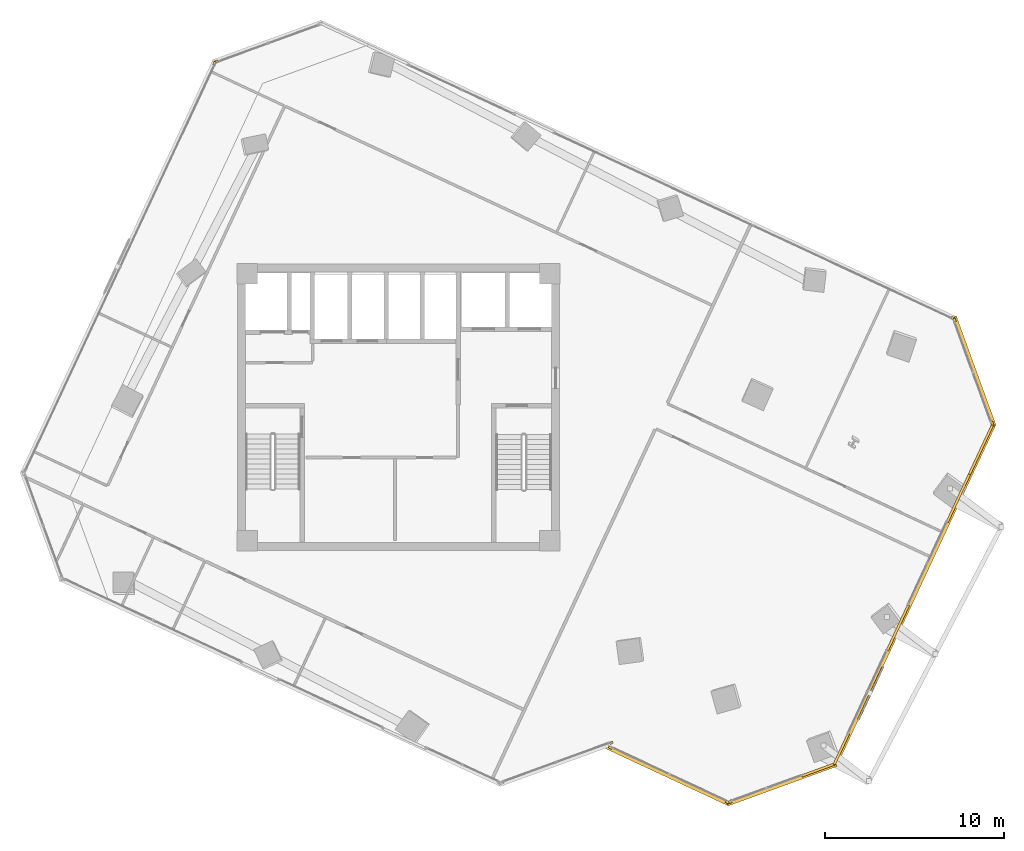
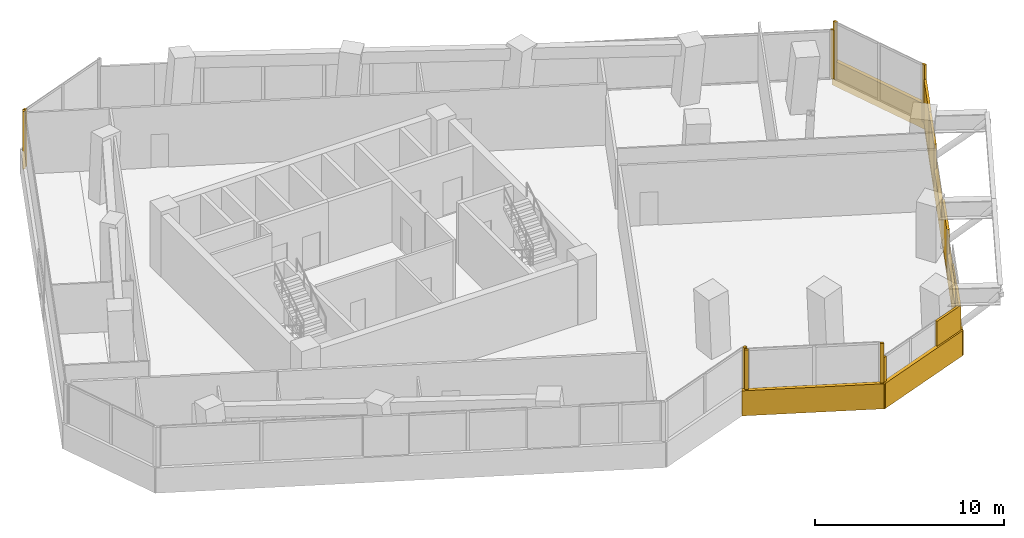
# One storey, part 20 of 21: 18 coverings, 1 shading device.
"""IFC4 building model written with IfcOpenShell, lengths in metres."""

import ifcopenshell
import ifcopenshell.guid

model = None  # the IFC model being written
_history = None  # IfcOwnerHistory: only IFC2X3 demands one
_inside = {}  # id of a spatial element -> (the spatial element, [elements in it])
_under = {}  # id of a project, library or spatial element -> (it, [spatial elements below it])
_declared = {}  # id of a project -> (the project, [libraries it declares])
_typed = {}  # id of a type object -> (the type object, [elements of that type])
_made_of = {}  # id of a material, layer set ... -> (it, [elements and type objects made of it])


def new_model(schema):
    """Start an empty IFC model of exactly this schema.

    Asked for "IFC4X3", IfcOpenShell would pick the latest addendum, in which some entities
    have other attributes; the version numbers below select the first issue.
    IFC2X3 requires an IfcOwnerHistory on every rooted entity: one is made here for all.
    """
    global model, _history
    if schema == "IFC4X3":
        model = ifcopenshell.file(schema_version=(4, 3, 0, 0))
    else:
        model = ifcopenshell.file(schema=schema)
    _inside.clear()
    _under.clear()
    _declared.clear()
    _typed.clear()
    _made_of.clear()
    _history = None
    if model.schema == "IFC2X3":
        org = make("IfcOrganization", Name="unknown")
        user = make(
            "IfcPersonAndOrganization",
            ThePerson=make("IfcPerson", FamilyName="unknown"),
            TheOrganization=org,
        )
        app = make(
            "IfcApplication",
            ApplicationDeveloper=org,
            Version="unknown",
            ApplicationFullName="unknown",
            ApplicationIdentifier="unknown",
        )
        _history = make(
            "IfcOwnerHistory",
            OwningUser=user,
            OwningApplication=app,
            ChangeAction="ADDED",
            CreationDate=0,
        )
    return model


def make(cls, **values):
    """One entity of the class cls with the attributes given. An attribute that is None is left unset."""
    return model.create_entity(
        cls, **{name: value for name, value in values.items() if value is not None}
    )


def rooted(cls, **values):
    """An entity with a GlobalId (a new one), such as an element, a storey or a relation."""
    return make(cls, GlobalId=ifcopenshell.guid.new(), OwnerHistory=_history, **values)


def si_unit(unit_type, name, prefix=None):
    """IfcSIUnit, for example si_unit("LENGTHUNIT", "METRE", prefix="MILLI")."""
    return make("IfcSIUnit", UnitType=unit_type, Prefix=prefix, Name=name)


def assignment(units):
    """IfcUnitAssignment: the units of a project."""
    return None if units is None else make("IfcUnitAssignment", Units=units)


def point(xyz):
    """IfcCartesianPoint."""
    return None if xyz is None else make("IfcCartesianPoint", Coordinates=xyz)


def direction(xyz):
    """IfcDirection."""
    return None if xyz is None else make("IfcDirection", DirectionRatios=xyz)


def frame(location, z_axis=None, x_axis=None):
    """IfcAxis2Placement3D, a coordinate frame: its origin and axes. An axis left out is left unset."""
    return make(
        "IfcAxis2Placement3D",
        Location=point(location),
        Axis=direction(z_axis),
        RefDirection=direction(x_axis),
    )


def frame_2d(location, x_axis=None):
    """IfcAxis2Placement2D, a coordinate frame in the plane: its origin and x axis."""
    return make(
        "IfcAxis2Placement2D", Location=point(location), RefDirection=direction(x_axis)
    )


def origin():
    """The frame at (0, 0, 0) with its axes left unset."""
    return frame((0.0, 0.0, 0.0))


def origin_2d():
    """The frame at (0, 0) in the plane with its x axis left unset."""
    return frame_2d((0.0, 0.0))


def place(relative_to, where):
    """IfcLocalPlacement: puts the frame where relative to a parent placement (None: the world)."""
    return make(
        "IfcLocalPlacement", PlacementRelTo=relative_to, RelativePlacement=where
    )


def context(
    kind, dimensions, precision=None, world=None, true_north=None, identifier=None
):
    """IfcGeometricRepresentationContext, for example the 3D "Model" context."""
    return make(
        "IfcGeometricRepresentationContext",
        ContextIdentifier=identifier,
        ContextType=kind,
        CoordinateSpaceDimension=dimensions,
        Precision=precision,
        WorldCoordinateSystem=world,
        TrueNorth=true_north,
    )


def subcontext(parent, identifier, kind, view, scale=None):
    """IfcGeometricRepresentationSubContext, for example "Body" below "Model"."""
    return make(
        "IfcGeometricRepresentationSubContext",
        ContextIdentifier=identifier,
        ContextType=kind,
        ParentContext=parent,
        TargetScale=scale,
        TargetView=view,
    )


def project(units=None, contexts=None):
    """IfcProject with its units and contexts."""
    return rooted(
        "IfcProject",
        Name="project",
        RepresentationContexts=contexts,
        UnitsInContext=assignment(units),
    )


def spatial(cls, under=None, at=None, **own):
    """A site, building, storey or space (cls), placed at a placement, below another one or the project."""
    s = rooted(cls, ObjectPlacement=at, **own)
    if under is not None:
        _under.setdefault(under.id(), (under, []))[1].append(s)
    return s


def profile(cls, at=None, kind="AREA", **sizes):
    """A parametric profile (cls). Its sizes go by their IFC names, for example OverallWidth=200.0."""
    return make(cls, ProfileType=kind, Position=at, **sizes)


def rectangle(**sizes):
    """IfcRectangleProfileDef."""
    return profile("IfcRectangleProfileDef", **sizes)


def extrude(swept, where, along, depth):
    """IfcExtrudedAreaSolid: the profile swept, set in the frame where, extruded along a direction by depth."""
    return make(
        "IfcExtrudedAreaSolid",
        SweptArea=swept,
        Position=where,
        ExtrudedDirection=direction(along),
        Depth=depth,
    )


def shape(context_of_items, identifier, shape_type, items):
    """IfcShapeRepresentation: the items that make up one representation, for example the "Body"."""
    return make(
        "IfcShapeRepresentation",
        ContextOfItems=context_of_items,
        RepresentationIdentifier=identifier,
        RepresentationType=shape_type,
        Items=items,
    )


def source(mapping_origin, context_of_items, identifier, shape_type, items):
    """IfcRepresentationMap: a shape defined once, which mapped items show again and again."""
    return make(
        "IfcRepresentationMap",
        MappingOrigin=mapping_origin,
        MappedRepresentation=shape(context_of_items, identifier, shape_type, items),
    )


def transform(
    local_origin,
    x_axis=None,
    y_axis=None,
    z_axis=None,
    scale=None,
    scale2=None,
    scale3=None,
    uniform=True,
):
    """IfcCartesianTransformationOperator3D, or its non-uniform kind. x_axis, y_axis, z_axis: its Axis1, 2, 3."""
    if uniform:
        return make(
            "IfcCartesianTransformationOperator3D",
            Axis1=direction(x_axis),
            Axis2=direction(y_axis),
            LocalOrigin=point(local_origin),
            Scale=scale,
            Axis3=direction(z_axis),
        )
    return make(
        "IfcCartesianTransformationOperator3DnonUniform",
        Axis1=direction(x_axis),
        Axis2=direction(y_axis),
        LocalOrigin=point(local_origin),
        Scale=scale,
        Axis3=direction(z_axis),
        Scale2=scale2,
        Scale3=scale3,
    )


def mapped(mapping_source, mapping_target):
    """IfcMappedItem: shows the shape of a source again, moved by a transform."""
    return make(
        "IfcMappedItem", MappingSource=mapping_source, MappingTarget=mapping_target
    )


def material(Name=None, Category=None):
    """IfcMaterial."""
    return make("IfcMaterial", Name=Name, Category=Category)


def layer(
    of_material, thickness, ventilated=None, Name=None, Category=None, Priority=None
):
    """IfcMaterialLayer: one layer of a wall or slab, of a material (None: an air gap)."""
    return make(
        "IfcMaterialLayer",
        Material=of_material,
        LayerThickness=thickness,
        IsVentilated=ventilated,
        Name=Name,
        Category=Category,
        Priority=Priority,
    )


def layer_set(layers, Name=None):
    """IfcMaterialLayerSet."""
    return make("IfcMaterialLayerSet", MaterialLayers=layers, LayerSetName=Name)


def made_of(thing, what):
    """Note that an element or type object is made of a material, layer set ...; save() writes the relation."""
    if what is not None:
        _made_of.setdefault(what.id(), (what, []))[1].append(thing)
    return thing


def type_object(cls, material=None, **own):
    """A type object (cls), such as IfcWallType, which elements share."""
    return made_of(rooted(cls, **own), material)


def element(
    cls,
    number,
    at=None,
    inside=None,
    cuts=None,
    type_object=None,
    material=None,
    context=None,
    identifier="Body",
    shape_type=None,
    held_by="IfcProductDefinitionShape",
    body=None,
    shapes=None,
    **own,
):
    """One element of the class cls, such as IfcWall. Its Tag is "e" and its number.

    at: its placement. inside: the storey or other place that contains it. cuts: it is an
    opening in that element (IfcRelVoidsElement). A single representation is given by context,
    identifier, shape_type and body (its items); several are given by shapes. held_by: the class
    of the entity that holds the representations. save() writes the other relations.
    """
    e = rooted(cls, Tag="e%d" % number, ObjectPlacement=at, **own)
    if body is not None:
        shapes = [shape(context, identifier, shape_type, body)]
    if shapes is not None:
        e.Representation = make(held_by, Representations=shapes)
    if inside is not None:
        _inside.setdefault(inside.id(), (inside, []))[1].append(e)
    if cuts is not None:
        rooted(
            "IfcRelVoidsElement", RelatingBuildingElement=cuts, RelatedOpeningElement=e
        )
    if type_object is not None:
        _typed.setdefault(type_object.id(), (type_object, []))[1].append(e)
    return made_of(e, material)


def aggregate(whole, parts):
    """IfcRelAggregates: a whole, such as a stair, and the parts it consists of."""
    return rooted("IfcRelAggregates", RelatingObject=whole, RelatedObjects=parts)


def save(model, path):
    """Write the relations noted so far, then the file.

    IfcRelAggregates (storeys below a building ...), IfcRelContainedInSpatialStructure (elements
    in a storey), IfcRelDefinesByType, IfcRelAssociatesMaterial and IfcRelDeclares: one each for
    every whole, place, type object, material and project.
    """
    for whole, parts in _under.values():
        aggregate(whole, parts)
    for where, things in _inside.values():
        rooted(
            "IfcRelContainedInSpatialStructure",
            RelatedElements=things,
            RelatingStructure=where,
        )
    for kind, things in _typed.values():
        rooted("IfcRelDefinesByType", RelatedObjects=things, RelatingType=kind)
    for what, things in _made_of.values():
        rooted("IfcRelAssociatesMaterial", RelatedObjects=things, RelatingMaterial=what)
    for by, libraries in _declared.values():
        rooted("IfcRelDeclares", RelatingContext=by, RelatedDefinitions=libraries)
    model.write(path)


model = new_model("IFC4")

# Units and contexts
model_context = context("Model", 3, precision=1e-05, world=origin(), true_north=direction((0.0, 1.0)))
body_context = subcontext(model_context, "Body", "Model", "MODEL_VIEW")
ifc_project = project(units=[si_unit("LENGTHUNIT", "METRE"), si_unit("AREAUNIT", "SQUARE_METRE"), si_unit("VOLUMEUNIT", "CUBIC_METRE"), si_unit("PLANEANGLEUNIT", "RADIAN"), si_unit("MASSUNIT", "GRAM", prefix="KILO")], contexts=[model_context])

# Site, building, storey
site_placement = place(None, origin())
site = spatial("IfcSite", under=ifc_project, at=site_placement, CompositionType="ELEMENT")
building_placement = place(site_placement, origin())
building = spatial("IfcBuilding", under=site, at=building_placement, Name="Torre Montelarca", CompositionType="ELEMENT")
storey_placement = place(building_placement, frame((0.0, 0.0, 162.39990234375)))
storey = spatial("IfcBuildingStorey", under=building, at=storey_placement, Name="L36", CompositionType="ELEMENT", Elevation=162.39990234375)

# Coverings
ifc_material_1 = material(Name="Bush-hammered warm white precast concrete C45/55", Category="concrete")
ifc_layer_1 = layer(ifc_material_1, 0.139892578125, Name="Bush-hammered warm white precast concrete C45/55", Category="concrete")
ifc_layer_set_1 = layer_set([ifc_layer_1], Name="Bush-hammered warm white precast concrete C45/55")
covering_type = type_object("IfcCoveringType", Name="COV-TRAY-CLAD", PredefinedType="CLADDING", material=ifc_layer_set_1)
shared_shape_1 = source(origin(), body_context, "Body", "SweptSolid", [
    extrude(rectangle(XDim=6.48388671875, YDim=0.219970703125, at=origin_2d()), origin(), (0.0, 0.0, 1.0), 1.6201171875),
])
for number, where, z_axis, x_axis, name in (
    (1, (39.402099609375, 10.931396484375, -0.449951171875), (0.0, 0.0, 1.0), (0.939693217722, 0.342018503252, 0.0), "L36 Architectural White Spandrel Tray Band TRYBOT-05"),
    (2, (50.160888671875, 34.00390625, -0.449951171875), (0.0, 0.0, 1.0), (-0.34202342347, 0.939691426905, 0.0), "L36 Architectural White Spandrel Tray Band TRYBOT-07"),
):
    element("IfcCovering", number, at=place(storey_placement, frame(where, z_axis=z_axis, x_axis=x_axis)), inside=storey, type_object=covering_type, Name=name, PredefinedType="CLADDING", context=body_context, shape_type="MappedRepresentation", body=[
        mapped(shared_shape_1, transform((0.0, 0.0, 0.0), scale=1.0)),
    ])
shared_shape_2 = source(origin(), body_context, "Body", "SweptSolid", [
    extrude(rectangle(XDim=21.1201171875, YDim=0.219970703125, at=origin_2d()), origin(), (0.0, 0.0, 1.0), 1.6201171875),
])
covering_1_placement = place(storey_placement, frame((46.812744140625, 21.5205078125, -0.449951171875), z_axis=(0.0, 0.0, 1.0), x_axis=(0.422618261741, 0.906307787037, 0.0)))
element("IfcCovering", 3, at=covering_1_placement, inside=storey, type_object=covering_type, Name="L36 Architectural White Spandrel Tray Band TRYBOT-06", PredefinedType="CLADDING", context=body_context, shape_type="MappedRepresentation", body=[
    mapped(shared_shape_2, transform((0.0, 0.0, 0.0), scale=1.0)),
])

# Shading device
ifc_material_2 = material(Name="Architectural perforated terracotta ceramic", Category="masonry")
ifc_layer_2 = layer(ifc_material_2, 0.080078125, Name="Architectural perforated terracotta ceramic", Category="masonry")
ifc_layer_set_2 = layer_set([ifc_layer_2], Name="Architectural perforated terracotta ceramic")
shading_device_type = type_object("IfcShadingDeviceType", Name="SHD-JALOUSIE-1", PredefinedType="JALOUSIE", material=ifc_layer_set_2)
shared_shape_3 = source(origin(), body_context, "Body", "SweptSolid", [
    extrude(rectangle(XDim=3.199951171875, YDim=0.10009765625, at=origin_2d()), origin(), (0.0, 0.0, 1.0), 1.25),
])
shading_device_placement = place(storey_placement, frame((44.36474609375, 16.01025390625, -0.0048828125), z_axis=(0.0, 0.0, 1.0), x_axis=(0.422618261741, 0.906307787037, 0.0)))
element("IfcShadingDevice", 4, at=shading_device_placement, inside=storey, type_object=shading_device_type, Name="L36 Facade Solar Shading Device E6", PredefinedType="JALOUSIE", context=body_context, shape_type="MappedRepresentation", body=[
    mapped(shared_shape_3, transform((0.0, 0.0, 0.0), scale=1.0)),
])

# Coverings
shared_shape_4 = source(origin(), body_context, "Body", "SweptSolid", [
    extrude(rectangle(XDim=0.199951171875, YDim=0.139892578125, at=origin_2d()), origin(), (0.0, 0.0, 1.0), 3.719970703125),
])
for number, where, z_axis, x_axis, name in (
    (5, (29.873291015625, 13.24609375, 0.0), (0.0, 0.0, 1.0), (0.939695008514, 0.342013583025, 0.0), "L36 Architectural Column Pier Cladding E02-2"),
    (6, (29.837158203125, 12.985107421875, 0.0), (0.0, 0.0, 1.0), (0.906309262247, -0.422615098127, 0.0), "L36 Architectural Column Pier Cladding E04-1"),
    (7, (36.355224609375, 9.945556640625, 0.0), (0.0, 0.0, 1.0), (0.906309262247, -0.422615098127, 0.0), "L36 Architectural Column Pier Cladding E04-2"),
    (8, (51.1533203125, 31.102294921875, 0.0), (0.0, 0.0, 1.0), (-0.342016863178, 0.939693814656, 0.0), "L36 Architectural Column Pier Cladding E07-1"),
    (9, (49.055908203125, 36.864501953125, 0.0), (0.0, 0.0, 1.0), (-0.342016863178, 0.939693814656, 0.0), "L36 Architectural Column Pier Cladding E07-2"),
    (10, (7.82373046875, 51.30712890625, 0.0), (0.0, 0.0, 1.0), (-0.939693814656, -0.342016863178, 0.0), "L36 Architectural Column Pier Cladding E09-2"),
    (11, (7.716796875, 51.208984375, 0.0), (0.0, 0.0, 1.0), (-0.422618261741, -0.906307787037, 0.0), "L36 Architectural Column Pier Cladding E10-1"),
):
    element("IfcCovering", number, at=place(storey_placement, frame(where, z_axis=z_axis, x_axis=x_axis)), inside=storey, type_object=covering_type, Name=name, PredefinedType="CLADDING", context=body_context, shape_type="MappedRepresentation", body=[
        mapped(shared_shape_4, transform((0.0, 0.0, 0.0), scale=1.0)),
    ])
shared_shape_5 = source(origin(), body_context, "Body", "SweptSolid", [
    extrude(rectangle(XDim=0.199951171875, YDim=0.139892578125, at=origin_2d()), origin(), (0.0, 0.0, 1.0), 2.77490234375),
])
covering_2_placement = place(storey_placement, frame((36.50048828125, 9.939208984375, 0.000244140625), z_axis=(0.0, 0.0, 1.0), x_axis=(0.939695605439, 0.342011942948, 0.0)))
element("IfcCovering", 12, at=covering_2_placement, inside=storey, type_object=covering_type, Name="L36 Architectural Column Pier Cladding E05-1", PredefinedType="CLADDING", context=body_context, shape_type="MappedRepresentation", body=[
    mapped(shared_shape_5, transform((0.0, 0.0, 0.0), scale=1.0)),
])
shared_shape_6 = source(origin(), body_context, "Body", "SweptSolid", [
    extrude(rectangle(XDim=7.6201171875, YDim=0.219970703125, at=origin_2d()), origin(), (0.0, 0.0, 1.0), 1.6201171875),
])
covering_3_placement = place(storey_placement, frame((33.036376953125, 11.427001953125, -0.449951171875), z_axis=(0.0, 0.0, 1.0), x_axis=(0.906309262247, -0.422615098127, 0.0)))
element("IfcCovering", 13, at=covering_3_placement, inside=storey, type_object=covering_type, Name="L36 Architectural White Spandrel Tray Band TRYBOT-04", PredefinedType="CLADDING", context=body_context, shape_type="MappedRepresentation", body=[
    mapped(shared_shape_6, transform((0.0, 0.0, 0.0), scale=1.0)),
])
shared_shape_7 = source(origin(), body_context, "Body", "SweptSolid", [
    extrude(rectangle(XDim=1.887939453125, YDim=0.139892578125, at=origin_2d()), origin(), (0.0, 0.0, 1.0), 2.77490234375),
])
covering_4_placement = place(storey_placement, frame((42.7265625, 12.8994140625, 0.000244140625), z_axis=(0.0, 0.0, 1.0), x_axis=(0.422616679935, 0.906308524643, 0.0)))
element("IfcCovering", 14, at=covering_4_placement, inside=storey, type_object=covering_type, Name="L36 Architectural Column Pier Cladding E06-1", PredefinedType="CLADDING", context=body_context, shape_type="MappedRepresentation", body=[
    mapped(shared_shape_7, transform((0.0, 0.0, 0.0), scale=1.0)),
])
shared_shape_8 = source(origin(), body_context, "Body", "SweptSolid", [
    extrude(rectangle(XDim=2.943603515625, YDim=0.139892578125, at=origin_2d()), origin(), (0.0, 0.0, 1.0), 2.77490234375),
])
covering_5_placement = place(storey_placement, frame((49.263916015625, 26.918701171875, 0.000244140625), z_axis=(0.0, 0.0, 1.0), x_axis=(0.422616679935, 0.906308524643, 0.0)))
element("IfcCovering", 15, at=covering_5_placement, inside=storey, type_object=covering_type, Name="L36 Architectural Column Pier Cladding E06-3", PredefinedType="CLADDING", context=body_context, shape_type="MappedRepresentation", body=[
    mapped(shared_shape_8, transform((0.0, 0.0, 0.0), scale=1.0)),
])
shared_shape_9 = source(origin(), body_context, "Body", "SweptSolid", [
    extrude(rectangle(XDim=3.18408203125, YDim=0.139892578125, at=origin_2d()), origin(), (0.0, 0.0, 1.0), 2.77490234375),
])
covering_6_placement = place(storey_placement, frame((50.516357421875, 29.604736328125, 0.000244140625), z_axis=(0.0, 0.0, 1.0), x_axis=(0.422616679935, 0.906308524643, 0.0)))
element("IfcCovering", 16, at=covering_6_placement, inside=storey, type_object=covering_type, Name="L36 Architectural Column Pier Cladding E06-4", PredefinedType="CLADDING", context=body_context, shape_type="MappedRepresentation", body=[
    mapped(shared_shape_9, transform((0.0, 0.0, 0.0), scale=1.0)),
])
shared_shape_10 = source(origin(), body_context, "Body", "SweptSolid", [
    extrude(rectangle(XDim=0.199951171875, YDim=0.139892578125, at=origin_2d()), origin(), (0.0, 0.0, 1.0), 3.175048828125),
])
covering_7_placement = place(storey_placement, frame((48.9580078125, 36.9716796875, 0.0), z_axis=(0.0, 0.0, 1.0), x_axis=(-0.906307787037, 0.422618261741, 0.0)))
element("IfcCovering", 17, at=covering_7_placement, inside=storey, type_object=covering_type, Name="L36 Architectural Column Pier Cladding E08-1", PredefinedType="CLADDING", context=body_context, shape_type="MappedRepresentation", body=[
    mapped(shared_shape_10, transform((0.0, 0.0, 0.0), scale=1.0)),
])
shared_shape_11 = source(origin(), body_context, "Body", "SweptSolid", [
    extrude(rectangle(XDim=1.957763671875, YDim=0.139892578125, at=origin_2d()), origin(), (0.0, 0.0, 1.0), 2.77490234375),
])
covering_8_placement = place(storey_placement, frame((41.43701171875, 11.73583984375, 0.000244140625), z_axis=(0.0, 0.0, 1.0), x_axis=(0.939695605439, 0.342011942948, 0.0)))
element("IfcCovering", 18, at=covering_8_placement, inside=storey, type_object=covering_type, Name="L36 Architectural Column Pier Cladding E05-2", PredefinedType="CLADDING", context=body_context, shape_type="MappedRepresentation", body=[
    mapped(shared_shape_11, transform((0.0, 0.0, 0.0), scale=1.0)),
])
shared_shape_12 = source(origin(), body_context, "Body", "SweptSolid", [
    extrude(rectangle(XDim=2.78759765625, YDim=0.139892578125, at=origin_2d()), origin(), (0.0, 0.0, 1.0), 2.77490234375),
])
covering_9_placement = place(storey_placement, frame((45.885009765625, 19.672607421875, 0.000244140625), z_axis=(0.0, 0.0, 1.0), x_axis=(0.422616679935, 0.906308524643, 0.0)))
element("IfcCovering", 19, at=covering_9_placement, inside=storey, type_object=covering_type, Name="L36 Architectural Column Pier Cladding E06-2", PredefinedType="CLADDING", context=body_context, shape_type="MappedRepresentation", body=[
    mapped(shared_shape_12, transform((0.0, 0.0, 0.0), scale=1.0)),
])

save(model, "model.ifc")
